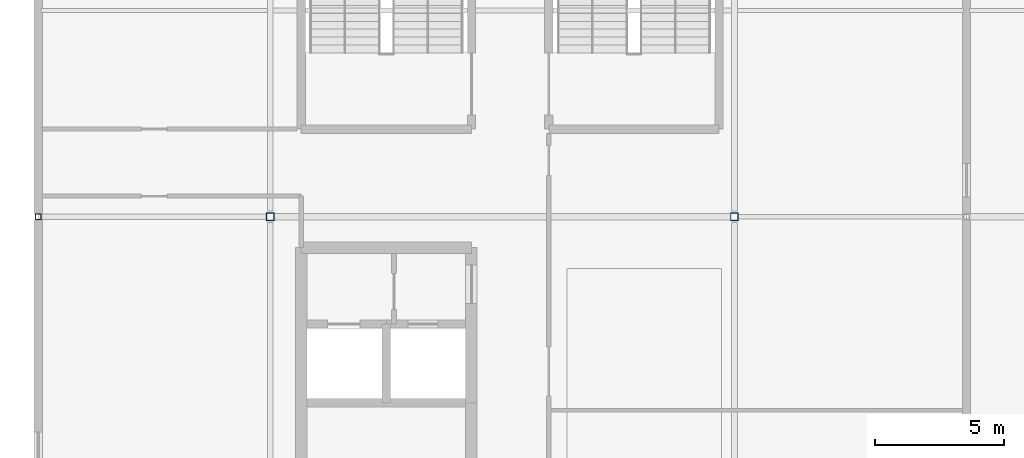
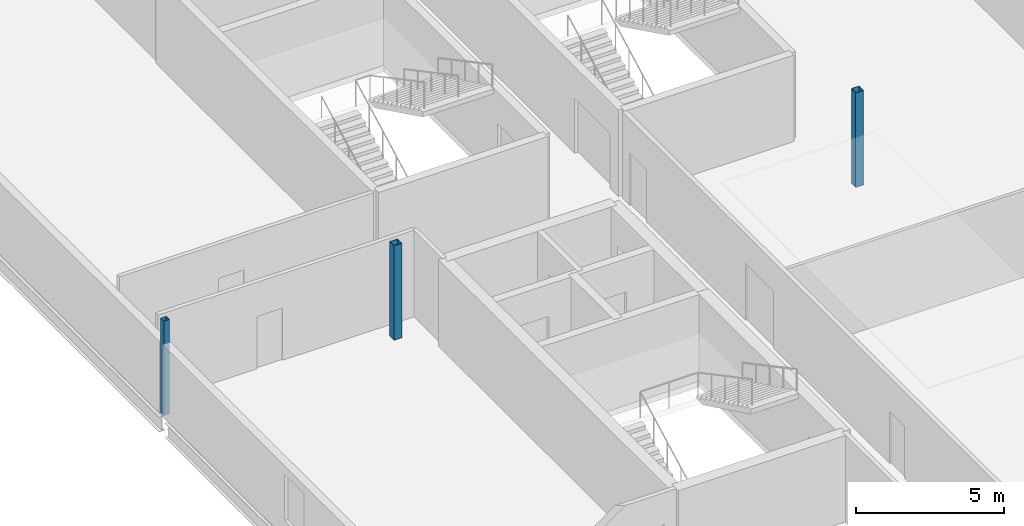
# One storey, part 2 of 55: 3 columns.
"""IFC4 building model written with IfcOpenShell, lengths in metres."""

from ifc_helpers import new_model, si_unit, direction, frame, origin, origin_2d, place, context, subcontext, project, spatial, hollow_rectangle, extrude, material, material_profile, profile_set, type_object, element, save


model = new_model("IFC4")

# Units and contexts
model_context = context("Model", 3, precision=1e-05, world=origin(), true_north=direction((0.0, 1.0)))
body_context = subcontext(model_context, "Body", "Model", "MODEL_VIEW")
ifc_project = project(units=[si_unit("LENGTHUNIT", "METRE"), si_unit("AREAUNIT", "SQUARE_METRE"), si_unit("VOLUMEUNIT", "CUBIC_METRE"), si_unit("PLANEANGLEUNIT", "RADIAN"), si_unit("MASSUNIT", "GRAM", prefix="KILO")], contexts=[model_context])

# Site, building, storey
site_placement = place(None, origin())
site = spatial("IfcSite", under=ifc_project, at=site_placement, CompositionType="ELEMENT")
building_placement = place(site_placement, origin())
building = spatial("IfcBuilding", under=site, at=building_placement, Name="Kisiwana Market Hall", CompositionType="ELEMENT")
storey_placement = place(building_placement, frame((0.0, 0.0, 37.800048828125)))
storey = spatial("IfcBuildingStorey", under=building, at=storey_placement, Name="L08", CompositionType="ELEMENT", Elevation=37.800048828125)

# Columns
ifc_material_1 = material(Name="Steel S355", Category="steel")
ifc_material_profile_1 = material_profile(ifc_material_1, hollow_rectangle(XDim=0.219970703125, YDim=0.219970703125, WallThickness=0.010009765625, at=origin_2d()), Name="SHS 220x220x10")
ifc_profile_set_1 = profile_set([ifc_material_profile_1], Name="Steel S355")
column_type_1 = type_object("IfcColumnType", Name="COL-STL-SHS220", PredefinedType="COLUMN", material=ifc_profile_set_1)
column_placement = place(storey_placement, frame((0.0, 36.0, 0.0), z_axis=(0.0, 0.0, 1.0), x_axis=(1.0, 0.0, 0.0)))
element("IfcColumn", 1, at=column_placement, inside=storey, type_object=column_type_1, Name="Column E/1 (L08) C-1156", PredefinedType="COLUMN", context=body_context, shape_type="SweptSolid", body=[
    extrude(hollow_rectangle(XDim=0.219970703125, YDim=0.219970703125, WallThickness=0.010009765625, at=origin_2d()), origin(), (0.0, 0.0, 1.0), 3.89990234375),
])
ifc_material_2 = material(Name="Steel S355", Category="steel")
ifc_material_profile_2 = material_profile(ifc_material_2, hollow_rectangle(XDim=0.300048828125, YDim=0.300048828125, WallThickness=0.012451171875, at=origin_2d()), Name="SHS 300x300x12.5")
ifc_profile_set_2 = profile_set([ifc_material_profile_2], Name="Steel S355")
column_type_2 = type_object("IfcColumnType", Name="COL-STL-SHS300", PredefinedType="COLUMN", material=ifc_profile_set_2)
for number, where, z_axis, x_axis, name in (
    (2, (9.0, 36.0, 0.0), (0.0, 0.0, 1.0), (1.0, 0.0, 0.0), "Column E/2 (L08) C-1163"),
    (3, (27.0, 36.0, 0.0), (0.0, 0.0, 1.0), (1.0, 0.0, 0.0), "Column E/4 (L08) C-1169"),
):
    element("IfcColumn", number, at=place(storey_placement, frame(where, z_axis=z_axis, x_axis=x_axis)), inside=storey, type_object=column_type_2, Name=name, PredefinedType="COLUMN", context=body_context, shape_type="SweptSolid", body=[
        extrude(hollow_rectangle(XDim=0.300048828125, YDim=0.300048828125, WallThickness=0.012451171875, at=origin_2d()), origin(), (0.0, 0.0, 1.0), 3.89990234375),
    ])

save(model, "model.ifc")
